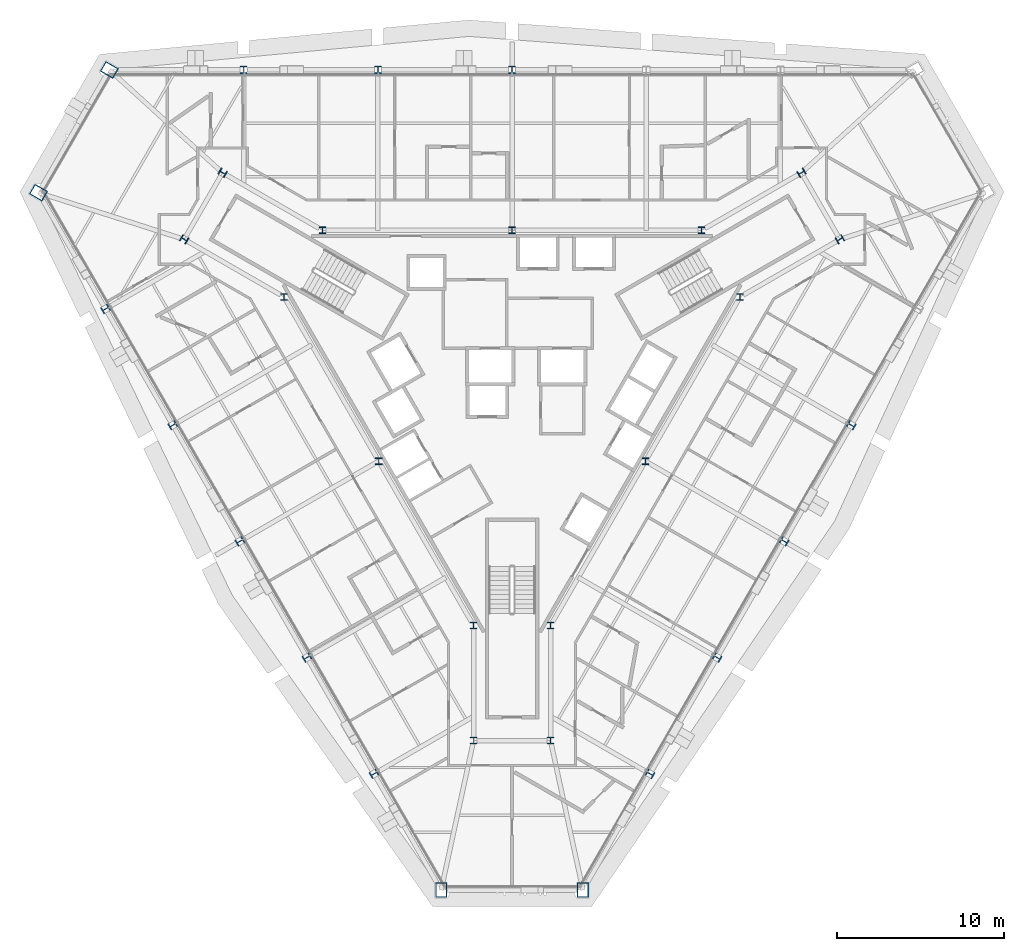
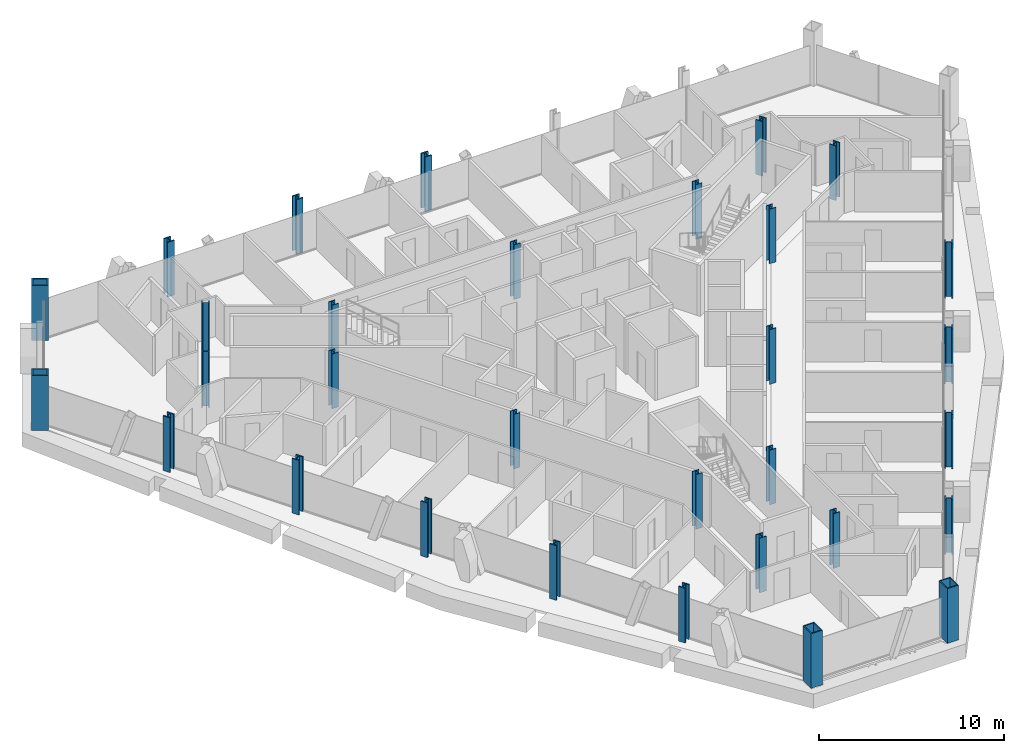
# One storey, part 1 of 16: 31 columns.
"""IFC4 building model written with IfcOpenShell, lengths in metres."""

from ifc_helpers import new_model, si_unit, direction, frame, origin, origin_2d, place, context, subcontext, project, spatial, hollow_rectangle, i_section, extrude, material, material_profile, profile_set, type_object, element, save


model = new_model("IFC4")

# Units and contexts
model_context = context("Model", 3, precision=1e-05, world=origin(), true_north=direction((0.0, 1.0)))
body_context = subcontext(model_context, "Body", "Model", "MODEL_VIEW")
ifc_project = project(units=[si_unit("LENGTHUNIT", "METRE"), si_unit("AREAUNIT", "SQUARE_METRE"), si_unit("VOLUMEUNIT", "CUBIC_METRE"), si_unit("PLANEANGLEUNIT", "RADIAN"), si_unit("MASSUNIT", "GRAM", prefix="KILO")], contexts=[model_context])

# Site, building, storey
site_placement = place(None, origin())
site = spatial("IfcSite", under=ifc_project, at=site_placement, CompositionType="ELEMENT")
building_placement = place(site_placement, origin())
building = spatial("IfcBuilding", under=site, at=building_placement, Name="Verrane Prism Tower", CompositionType="ELEMENT")
storey_placement = place(building_placement, frame((0.0, 0.0, 107.199951171875)))
storey = spatial("IfcBuildingStorey", under=building, at=storey_placement, Name="L25", CompositionType="ELEMENT", Elevation=107.199951171875)

# Columns
ifc_material_1 = material(Name="Steel A992", Category="steel")
ifc_material_profile_1 = material_profile(ifc_material_1, i_section(OverallWidth=0.411376953125, OverallDepth=0.434326171875, WebThickness=0.035888671875, FlangeThickness=0.057373046875, FilletRadius=0.01513671875, at=origin_2d()), Name="W14x311")
ifc_profile_set_1 = profile_set([ifc_material_profile_1], Name="Steel A992")
column_type_1 = type_object("IfcColumnType", Name="Core corner column W14x311", PredefinedType="COLUMN", material=ifc_profile_set_1)
for number, where, z_axis, x_axis, name in (
    (1, (19.60009765625, 8.659912109375, 0.0), (0.0, 0.0, 1.0), (0.5, -0.866025403784, 0.0), "Core corner column CK-NEm L25"),
    (2, (17.300048828125, 12.639892578125, 0.0), (0.0, 0.0, 1.0), (0.5, -0.866025403784, 0.0), "Core corner column CK-NEp L25"),
    (3, (-17.300048828125, 12.639892578125, 0.0), (0.0, 0.0, 1.0), (0.5, 0.866025403784, 0.0), "Core corner column CK-NWm L25"),
    (4, (-19.60009765625, 8.659912109375, 0.0), (0.0, 0.0, 1.0), (0.5, 0.866025403784, 0.0), "Core corner column CK-NWp L25"),
    (5, (-2.300048828125, -21.300048828125, 0.0), (0.0, 0.0, 1.0), (-1.0, 0.0, 0.0), "Core corner column CK-Sm L25"),
    (6, (2.300048828125, -21.300048828125, 0.0), (0.0, 0.0, 1.0), (-1.0, 0.0, 0.0), "Core corner column CK-Sp L25"),
):
    element("IfcColumn", number, at=place(storey_placement, frame(where, z_axis=z_axis, x_axis=x_axis)), inside=storey, type_object=column_type_1, Name=name, PredefinedType="COLUMN", context=body_context, shape_type="SweptSolid", body=[
        extrude(i_section(OverallWidth=0.411376953125, OverallDepth=0.434326171875, WebThickness=0.035888671875, FlangeThickness=0.057373046875, FilletRadius=0.01513671875, at=origin_2d()), origin(), (0.0, 0.0, 1.0), 3.60009765625),
    ])
ifc_material_2 = material(Name="Steel A992", Category="steel")
ifc_material_profile_2 = material_profile(ifc_material_2, i_section(OverallWidth=0.4013671875, OverallDepth=0.398681640625, WebThickness=0.02490234375, FlangeThickness=0.03955078125, FilletRadius=0.01513671875, at=origin_2d()), Name="W14x211")
ifc_profile_set_2 = profile_set([ifc_material_profile_2], Name="Steel A992")
column_type_2 = type_object("IfcColumnType", Name="Core side column W14x211", PredefinedType="COLUMN", material=ifc_profile_set_2)
for number, where, z_axis, x_axis, name in (
    (7, (13.6298828125, 5.219970703125, 0.0), (0.0, 0.0, 1.0), (1.0, 0.0, 0.0), "Core side column CC-NEm L25"),
    (8, (11.330078125, 9.199951171875, 0.0), (0.0, 0.0, 1.0), (1.0, 0.0, 0.0), "Core side column CC-NEp L25"),
    (9, (0.0, 9.199951171875, 0.0), (0.0, 0.0, 1.0), (1.0, 0.0, 0.0), "Core side column CC-N0 L25"),
    (10, (-11.330078125, 9.199951171875, 0.0), (0.0, 0.0, 1.0), (1.0, 0.0, 0.0), "Core side column CC-NWm L25"),
    (11, (-13.6298828125, 5.219970703125, 0.0), (0.0, 0.0, 1.0), (1.0, 0.0, 0.0), "Core side column CC-NWp L25"),
    (12, (-7.969970703125, -4.60009765625, 0.0), (0.0, 0.0, 1.0), (1.0, 0.0, 0.0), "Core side column CC-SW0 L25"),
    (13, (-2.300048828125, -14.419921875, 0.0), (0.0, 0.0, 1.0), (1.0, 0.0, 0.0), "Core side column CC-Sm L25"),
    (14, (2.300048828125, -14.419921875, 0.0), (0.0, 0.0, 1.0), (1.0, 0.0, 0.0), "Core side column CC-Sp L25"),
    (15, (7.969970703125, -4.60009765625, 0.0), (0.0, 0.0, 1.0), (1.0, 0.0, 0.0), "Core side column CC-SE0 L25"),
):
    element("IfcColumn", number, at=place(storey_placement, frame(where, z_axis=z_axis, x_axis=x_axis)), inside=storey, type_object=column_type_2, Name=name, PredefinedType="COLUMN", context=body_context, shape_type="SweptSolid", body=[
        extrude(i_section(OverallWidth=0.4013671875, OverallDepth=0.398681640625, WebThickness=0.02490234375, FlangeThickness=0.03955078125, FilletRadius=0.01513671875, at=origin_2d()), origin(), (0.0, 0.0, 1.0), 3.60009765625),
    ])
ifc_material_3 = material(Name="Steel A572 Grade 50", Category="steel")
ifc_material_profile_3 = material_profile(ifc_material_3, hollow_rectangle(XDim=0.699951171875, YDim=0.89990234375, WallThickness=0.06494140625, at=origin_2d()), Name="BOX 900x700x65")
ifc_profile_set_3 = profile_set([ifc_material_profile_3], Name="Steel A572 Grade 50")
column_type_3 = type_object("IfcColumnType", Name="Megacolumn BOX 900x700x65", PredefinedType="COLUMN", material=ifc_profile_set_3)
for number, where, z_axis, x_axis, name in (
    (16, (-24.070068359375, 18.7900390625, 0.0), (0.0, 0.0, 1.0), (0.5, 0.866025403784, 0.0), "Megacolumn MC-NW.a L25"),
    (17, (-28.31005859375, 11.449951171875, 0.0), (0.0, 0.0, 1.0), (0.5, 0.866025403784, 0.0), "Megacolumn MC-NW.b L25"),
    (18, (-4.239990234375, -30.239990234375, 0.0), (0.0, 0.0, 1.0), (-1.0, 0.0, 0.0), "Megacolumn MC-S.a L25"),
    (19, (4.239990234375, -30.239990234375, 0.0), (0.0, 0.0, 1.0), (-1.0, 0.0, 0.0), "Megacolumn MC-S.b L25"),
):
    element("IfcColumn", number, at=place(storey_placement, frame(where, z_axis=z_axis, x_axis=x_axis)), inside=storey, type_object=column_type_3, Name=name, PredefinedType="COLUMN", context=body_context, shape_type="SweptSolid", body=[
        extrude(hollow_rectangle(XDim=0.699951171875, YDim=0.89990234375, WallThickness=0.06494140625, at=origin_2d()), origin(), (0.0, 0.0, 1.0), 3.60009765625),
    ])
ifc_material_4 = material(Name="Steel A992", Category="steel")
ifc_material_profile_4 = material_profile(ifc_material_4, i_section(OverallWidth=0.424072265625, OverallDepth=0.47509765625, WebThickness=0.0478515625, FlangeThickness=0.0771484375, FilletRadius=0.014892578125, at=origin_2d()), Name="W14x426")
ifc_profile_set_4 = profile_set([ifc_material_profile_4], Name="Steel A992")
column_type_4 = type_object("IfcColumnType", Name="Perimeter column W14x426", PredefinedType="COLUMN", material=ifc_profile_set_4)
for number, where, z_axis, x_axis, name in (
    (20, (0.0, 18.7900390625, 0.0), (0.0, 0.0, 1.0), (1.0, 0.0, 0.0), "Perimeter column PC-N3 L25"),
    (21, (-8.02001953125, 18.7900390625, 0.0), (0.0, 0.0, 1.0), (1.0, 0.0, 0.0), "Perimeter column PC-N4 L25"),
    (22, (-16.0400390625, 18.7900390625, 0.0), (0.0, 0.0, 1.0), (1.0, 0.0, 0.0), "Perimeter column PC-N5 L25"),
    (23, (-24.300048828125, 4.5, 0.0), (0.0, 0.0, 1.0), (-0.5, 0.866025403784, 0.0), "Perimeter column PC-SW1 L25"),
    (24, (-20.280029296875, -2.449951171875, 0.0), (0.0, 0.0, 1.0), (-0.5, 0.866025403784, 0.0), "Perimeter column PC-SW2 L25"),
    (25, (-16.27001953125, -9.389892578125, 0.0), (0.0, 0.0, 1.0), (-0.5, 0.866025403784, 0.0), "Perimeter column PC-SW3 L25"),
    (26, (-12.260009765625, -16.340087890625, 0.0), (0.0, 0.0, 1.0), (-0.5, 0.866025403784, 0.0), "Perimeter column PC-SW4 L25"),
    (27, (-8.25, -23.2900390625, 0.0), (0.0, 0.0, 1.0), (-0.5, 0.866025403784, 0.0), "Perimeter column PC-SW5 L25"),
    (28, (8.25, -23.2900390625, 0.0), (0.0, 0.0, 1.0), (-0.5, -0.866025403784, 0.0), "Perimeter column PC-SE1 L25"),
    (29, (12.260009765625, -16.340087890625, 0.0), (0.0, 0.0, 1.0), (-0.5, -0.866025403784, 0.0), "Perimeter column PC-SE2 L25"),
    (30, (16.27001953125, -9.389892578125, 0.0), (0.0, 0.0, 1.0), (-0.5, -0.866025403784, 0.0), "Perimeter column PC-SE3 L25"),
    (31, (20.280029296875, -2.449951171875, 0.0), (0.0, 0.0, 1.0), (-0.5, -0.866025403784, 0.0), "Perimeter column PC-SE4 L25"),
):
    element("IfcColumn", number, at=place(storey_placement, frame(where, z_axis=z_axis, x_axis=x_axis)), inside=storey, type_object=column_type_4, Name=name, PredefinedType="COLUMN", context=body_context, shape_type="SweptSolid", body=[
        extrude(i_section(OverallWidth=0.424072265625, OverallDepth=0.47509765625, WebThickness=0.0478515625, FlangeThickness=0.0771484375, FilletRadius=0.014892578125, at=origin_2d()), origin(), (0.0, 0.0, 1.0), 3.60009765625),
    ])

save(model, "model.ifc")
